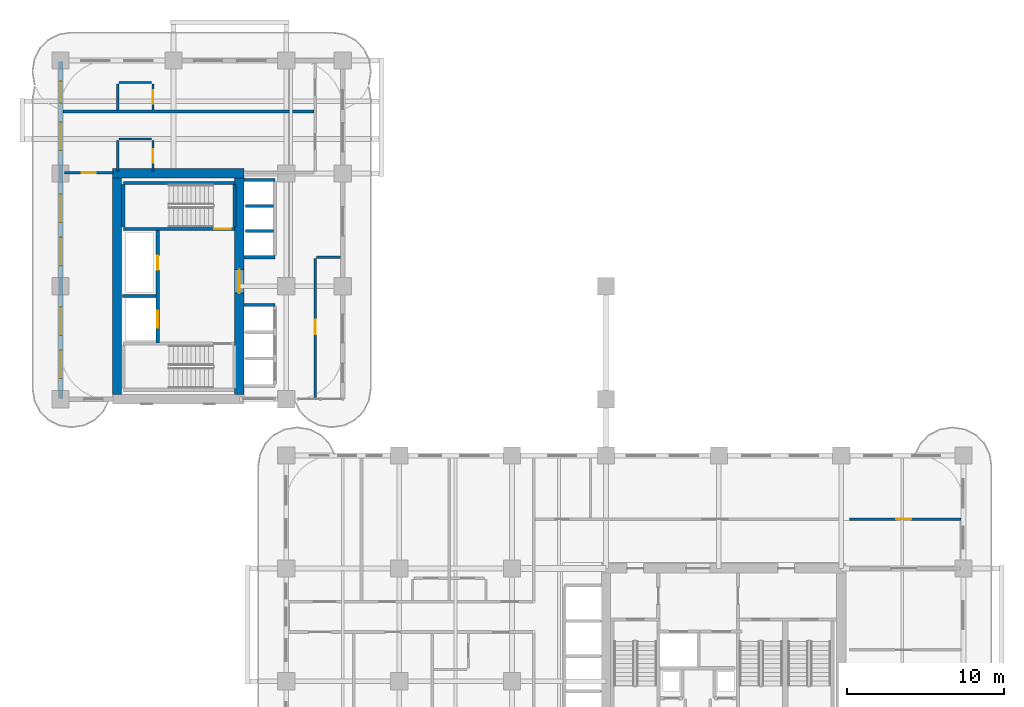
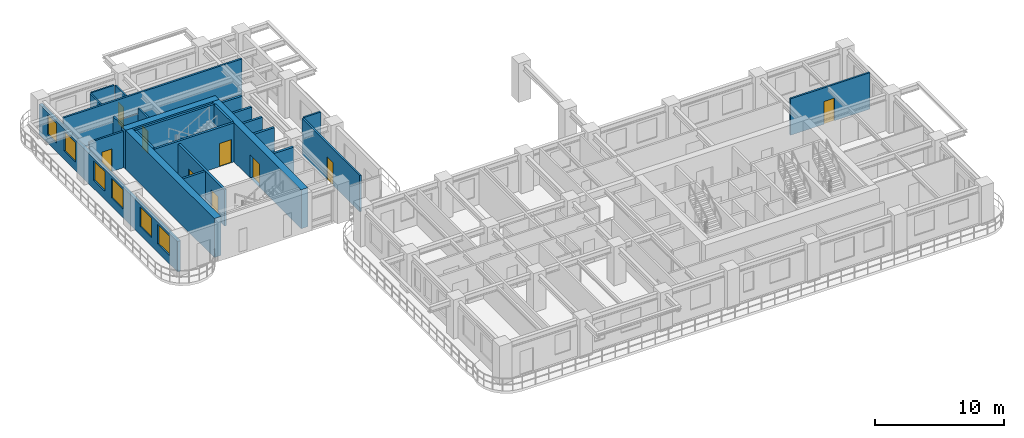
# One storey, part 10 of 18: 26 walls, 9 doors, 6 windows, 15 openings.
"""IFC4 building model written with IfcOpenShell, lengths in metres."""

import ifcopenshell
import ifcopenshell.guid

model = None  # the IFC model being written
_history = None  # IfcOwnerHistory: only IFC2X3 demands one
_inside = {}  # id of a spatial element -> (the spatial element, [elements in it])
_under = {}  # id of a project, library or spatial element -> (it, [spatial elements below it])
_declared = {}  # id of a project -> (the project, [libraries it declares])
_typed = {}  # id of a type object -> (the type object, [elements of that type])
_made_of = {}  # id of a material, layer set ... -> (it, [elements and type objects made of it])


def new_model(schema):
    """Start an empty IFC model of exactly this schema.

    Asked for "IFC4X3", IfcOpenShell would pick the latest addendum, in which some entities
    have other attributes; the version numbers below select the first issue.
    IFC2X3 requires an IfcOwnerHistory on every rooted entity: one is made here for all.
    """
    global model, _history
    if schema == "IFC4X3":
        model = ifcopenshell.file(schema_version=(4, 3, 0, 0))
    else:
        model = ifcopenshell.file(schema=schema)
    _inside.clear()
    _under.clear()
    _declared.clear()
    _typed.clear()
    _made_of.clear()
    _history = None
    if model.schema == "IFC2X3":
        org = make("IfcOrganization", Name="unknown")
        user = make(
            "IfcPersonAndOrganization",
            ThePerson=make("IfcPerson", FamilyName="unknown"),
            TheOrganization=org,
        )
        app = make(
            "IfcApplication",
            ApplicationDeveloper=org,
            Version="unknown",
            ApplicationFullName="unknown",
            ApplicationIdentifier="unknown",
        )
        _history = make(
            "IfcOwnerHistory",
            OwningUser=user,
            OwningApplication=app,
            ChangeAction="ADDED",
            CreationDate=0,
        )
    return model


def make(cls, **values):
    """One entity of the class cls with the attributes given. An attribute that is None is left unset."""
    return model.create_entity(
        cls, **{name: value for name, value in values.items() if value is not None}
    )


def rooted(cls, **values):
    """An entity with a GlobalId (a new one), such as an element, a storey or a relation."""
    return make(cls, GlobalId=ifcopenshell.guid.new(), OwnerHistory=_history, **values)


def si_unit(unit_type, name, prefix=None):
    """IfcSIUnit, for example si_unit("LENGTHUNIT", "METRE", prefix="MILLI")."""
    return make("IfcSIUnit", UnitType=unit_type, Prefix=prefix, Name=name)


def derived_unit(unit_type, elements):
    """IfcDerivedUnit: a product of units, each with its exponent."""
    return make(
        "IfcDerivedUnit",
        Elements=[
            make("IfcDerivedUnitElement", Unit=unit, Exponent=power)
            for unit, power in elements
        ],
        UnitType=unit_type,
    )


def assignment(units):
    """IfcUnitAssignment: the units of a project."""
    return None if units is None else make("IfcUnitAssignment", Units=units)


def point(xyz):
    """IfcCartesianPoint."""
    return None if xyz is None else make("IfcCartesianPoint", Coordinates=xyz)


def direction(xyz):
    """IfcDirection."""
    return None if xyz is None else make("IfcDirection", DirectionRatios=xyz)


def frame(location, z_axis=None, x_axis=None):
    """IfcAxis2Placement3D, a coordinate frame: its origin and axes. An axis left out is left unset."""
    return make(
        "IfcAxis2Placement3D",
        Location=point(location),
        Axis=direction(z_axis),
        RefDirection=direction(x_axis),
    )


def frame_2d(location, x_axis=None):
    """IfcAxis2Placement2D, a coordinate frame in the plane: its origin and x axis."""
    return make(
        "IfcAxis2Placement2D", Location=point(location), RefDirection=direction(x_axis)
    )


def origin():
    """The frame at (0, 0, 0) with its axes left unset."""
    return frame((0.0, 0.0, 0.0))


def place(relative_to, where):
    """IfcLocalPlacement: puts the frame where relative to a parent placement (None: the world)."""
    return make(
        "IfcLocalPlacement", PlacementRelTo=relative_to, RelativePlacement=where
    )


def context(
    kind, dimensions, precision=None, world=None, true_north=None, identifier=None
):
    """IfcGeometricRepresentationContext, for example the 3D "Model" context."""
    return make(
        "IfcGeometricRepresentationContext",
        ContextIdentifier=identifier,
        ContextType=kind,
        CoordinateSpaceDimension=dimensions,
        Precision=precision,
        WorldCoordinateSystem=world,
        TrueNorth=true_north,
    )


def subcontext(parent, identifier, kind, view, scale=None):
    """IfcGeometricRepresentationSubContext, for example "Body" below "Model"."""
    return make(
        "IfcGeometricRepresentationSubContext",
        ContextIdentifier=identifier,
        ContextType=kind,
        ParentContext=parent,
        TargetScale=scale,
        TargetView=view,
    )


def project(units=None, contexts=None):
    """IfcProject with its units and contexts."""
    return rooted(
        "IfcProject",
        Name="project",
        RepresentationContexts=contexts,
        UnitsInContext=assignment(units),
    )


def spatial(cls, under=None, at=None, **own):
    """A site, building, storey or space (cls), placed at a placement, below another one or the project."""
    s = rooted(cls, ObjectPlacement=at, **own)
    if under is not None:
        _under.setdefault(under.id(), (under, []))[1].append(s)
    return s


def profile(cls, at=None, kind="AREA", **sizes):
    """A parametric profile (cls). Its sizes go by their IFC names, for example OverallWidth=200.0."""
    return make(cls, ProfileType=kind, Position=at, **sizes)


def rectangle(**sizes):
    """IfcRectangleProfileDef."""
    return profile("IfcRectangleProfileDef", **sizes)


def extrude(swept, where, along, depth):
    """IfcExtrudedAreaSolid: the profile swept, set in the frame where, extruded along a direction by depth."""
    return make(
        "IfcExtrudedAreaSolid",
        SweptArea=swept,
        Position=where,
        ExtrudedDirection=direction(along),
        Depth=depth,
    )


def shape(context_of_items, identifier, shape_type, items):
    """IfcShapeRepresentation: the items that make up one representation, for example the "Body"."""
    return make(
        "IfcShapeRepresentation",
        ContextOfItems=context_of_items,
        RepresentationIdentifier=identifier,
        RepresentationType=shape_type,
        Items=items,
    )


def source(mapping_origin, context_of_items, identifier, shape_type, items):
    """IfcRepresentationMap: a shape defined once, which mapped items show again and again."""
    return make(
        "IfcRepresentationMap",
        MappingOrigin=mapping_origin,
        MappedRepresentation=shape(context_of_items, identifier, shape_type, items),
    )


def transform(
    local_origin,
    x_axis=None,
    y_axis=None,
    z_axis=None,
    scale=None,
    scale2=None,
    scale3=None,
    uniform=True,
):
    """IfcCartesianTransformationOperator3D, or its non-uniform kind. x_axis, y_axis, z_axis: its Axis1, 2, 3."""
    if uniform:
        return make(
            "IfcCartesianTransformationOperator3D",
            Axis1=direction(x_axis),
            Axis2=direction(y_axis),
            LocalOrigin=point(local_origin),
            Scale=scale,
            Axis3=direction(z_axis),
        )
    return make(
        "IfcCartesianTransformationOperator3DnonUniform",
        Axis1=direction(x_axis),
        Axis2=direction(y_axis),
        LocalOrigin=point(local_origin),
        Scale=scale,
        Axis3=direction(z_axis),
        Scale2=scale2,
        Scale3=scale3,
    )


def mapped(mapping_source, mapping_target):
    """IfcMappedItem: shows the shape of a source again, moved by a transform."""
    return make(
        "IfcMappedItem", MappingSource=mapping_source, MappingTarget=mapping_target
    )


def material(Name=None, Category=None):
    """IfcMaterial."""
    return make("IfcMaterial", Name=Name, Category=Category)


def layer(
    of_material, thickness, ventilated=None, Name=None, Category=None, Priority=None
):
    """IfcMaterialLayer: one layer of a wall or slab, of a material (None: an air gap)."""
    return make(
        "IfcMaterialLayer",
        Material=of_material,
        LayerThickness=thickness,
        IsVentilated=ventilated,
        Name=Name,
        Category=Category,
        Priority=Priority,
    )


def layer_set(layers, Name=None):
    """IfcMaterialLayerSet."""
    return make("IfcMaterialLayerSet", MaterialLayers=layers, LayerSetName=Name)


def made_of(thing, what):
    """Note that an element or type object is made of a material, layer set ...; save() writes the relation."""
    if what is not None:
        _made_of.setdefault(what.id(), (what, []))[1].append(thing)
    return thing


def type_object(cls, material=None, **own):
    """A type object (cls), such as IfcWallType, which elements share."""
    return made_of(rooted(cls, **own), material)


def type_shapes(of_type, sources):
    """Give a type object the sources (RepresentationMaps) that its elements show as mapped items."""
    of_type.RepresentationMaps = sources


def element(
    cls,
    number,
    at=None,
    inside=None,
    cuts=None,
    type_object=None,
    material=None,
    context=None,
    identifier="Body",
    shape_type=None,
    held_by="IfcProductDefinitionShape",
    body=None,
    shapes=None,
    **own,
):
    """One element of the class cls, such as IfcWall. Its Tag is "e" and its number.

    at: its placement. inside: the storey or other place that contains it. cuts: it is an
    opening in that element (IfcRelVoidsElement). A single representation is given by context,
    identifier, shape_type and body (its items); several are given by shapes. held_by: the class
    of the entity that holds the representations. save() writes the other relations.
    """
    e = rooted(cls, Tag="e%d" % number, ObjectPlacement=at, **own)
    if body is not None:
        shapes = [shape(context, identifier, shape_type, body)]
    if shapes is not None:
        e.Representation = make(held_by, Representations=shapes)
    if inside is not None:
        _inside.setdefault(inside.id(), (inside, []))[1].append(e)
    if cuts is not None:
        rooted(
            "IfcRelVoidsElement", RelatingBuildingElement=cuts, RelatedOpeningElement=e
        )
    if type_object is not None:
        _typed.setdefault(type_object.id(), (type_object, []))[1].append(e)
    return made_of(e, material)


def fill(opening, filler):
    """IfcRelFillsElement: the door or window that sits in an opening."""
    return rooted(
        "IfcRelFillsElement",
        RelatingOpeningElement=opening,
        RelatedBuildingElement=filler,
    )


def aggregate(whole, parts):
    """IfcRelAggregates: a whole, such as a stair, and the parts it consists of."""
    return rooted("IfcRelAggregates", RelatingObject=whole, RelatedObjects=parts)


def save(model, path):
    """Write the relations noted so far, then the file.

    IfcRelAggregates (storeys below a building ...), IfcRelContainedInSpatialStructure (elements
    in a storey), IfcRelDefinesByType, IfcRelAssociatesMaterial and IfcRelDeclares: one each for
    every whole, place, type object, material and project.
    """
    for whole, parts in _under.values():
        aggregate(whole, parts)
    for where, things in _inside.values():
        rooted(
            "IfcRelContainedInSpatialStructure",
            RelatedElements=things,
            RelatingStructure=where,
        )
    for kind, things in _typed.values():
        rooted("IfcRelDefinesByType", RelatedObjects=things, RelatingType=kind)
    for what, things in _made_of.values():
        rooted("IfcRelAssociatesMaterial", RelatedObjects=things, RelatingMaterial=what)
    for by, libraries in _declared.values():
        rooted("IfcRelDeclares", RelatingContext=by, RelatedDefinitions=libraries)
    model.write(path)


model = new_model("IFC4")

# Units and contexts
model_context = context("Model", 3, precision=1e-05, world=origin(), true_north=direction((0.0, 1.0)))
body_context = subcontext(model_context, "Body", "Model", "MODEL_VIEW")
ifc_project = project(units=[si_unit("LENGTHUNIT", "METRE"), si_unit("AREAUNIT", "SQUARE_METRE"), si_unit("VOLUMEUNIT", "CUBIC_METRE"), si_unit("PLANEANGLEUNIT", "RADIAN"), si_unit("MASSUNIT", "GRAM", prefix="KILO"), si_unit("THERMODYNAMICTEMPERATUREUNIT", "KELVIN"), si_unit("POWERUNIT", "WATT"), derived_unit("THERMALTRANSMITTANCEUNIT", [(si_unit("POWERUNIT", "WATT"), 1), (si_unit("AREAUNIT", "SQUARE_METRE"), -1), (si_unit("THERMODYNAMICTEMPERATUREUNIT", "KELVIN"), -1)])], contexts=[model_context])

# Site, building, storey
site_placement = place(None, origin())
site = spatial("IfcSite", under=ifc_project, at=site_placement, CompositionType="ELEMENT")
building_placement = place(site_placement, origin())
building = spatial("IfcBuilding", under=site, at=building_placement, Name="Zahravan Archway Hotel and Residences", CompositionType="ELEMENT")
storey_placement = place(building_placement, frame((0.0, 0.0, 50.89990234375)))
storey = spatial("IfcBuildingStorey", under=building, at=storey_placement, Name="L11", CompositionType="ELEMENT", Elevation=50.89990234375)

# Walls
ifc_material_1 = material(Name="Concrete C70/85", Category="concrete")
ifc_layer_1 = layer(ifc_material_1, 0.60009765625, Name="Concrete C70/85", Category="concrete")
ifc_layer_set_1 = layer_set([ifc_layer_1], Name="Concrete C70/85")
wall_type_1 = type_object("IfcWallType", Name="CW-CORE-600", PredefinedType="SHEAR", material=ifc_layer_set_1)
wall_1_placement = place(storey_placement, frame((3.300048828125, 39.60009765625, 0.0), z_axis=(0.0, 0.0, 1.0), x_axis=(1.0, 0.0, 0.0)))
element("IfcWall", 1, at=wall_1_placement, inside=storey, type_object=wall_type_1, Name="L11 Core B Shear N Wall 600 mm", PredefinedType="SHEAR", context=body_context, shape_type="SweptSolid", body=[
    extrude(rectangle(XDim=8.39990234375, YDim=0.60009765625, at=frame_2d((4.199951171875, 0.0))), origin(), (0.0, 0.0, 1.0), 3.7001953125),
])
wall_2_placement = place(storey_placement, frame((3.60009765625, 25.5, 0.0), z_axis=(0.0, 0.0, 1.0), x_axis=(0.0, 1.0, 0.0)))
element("IfcWall", 2, at=wall_2_placement, inside=storey, type_object=wall_type_1, Name="L11 Core B Shear W Wall 600 mm", PredefinedType="SHEAR", context=body_context, shape_type="SweptSolid", body=[
    extrude(rectangle(XDim=13.800048828125, YDim=0.60009765625, at=frame_2d((6.89990234375, 0.0))), origin(), (0.0, 0.0, 1.0), 3.7001953125),
])

# Wall, opening, door
wall_3_placement = place(storey_placement, frame((11.39990234375, 25.5, 0.0), z_axis=(0.0, 0.0, 1.0), x_axis=(0.0, 1.0, 0.0)))
wall_3 = element("IfcWall", 3, at=wall_3_placement, inside=storey, type_object=wall_type_1, Name="L11 Core B Shear E Wall 600 mm", PredefinedType="SHEAR", context=body_context, shape_type="SweptSolid", body=[
    extrude(rectangle(XDim=13.800048828125, YDim=0.60009765625, at=frame_2d((6.89990234375, 0.0))), origin(), (0.0, 0.0, 1.0), 3.7001953125),
])
opening_1_placement = place(wall_3_placement, frame((6.469970703125, 0.0, 0.0)))
opening_1 = element("IfcOpeningElement", 4, at=opening_1_placement, cuts=wall_3, Name="Opening FD-L1", PredefinedType="OPENING", context=body_context, shape_type="SweptSolid", body=[
    extrude(rectangle(XDim=1.5, YDim=2.199951171875, at=frame_2d((0.75, 1.10009765625))), frame((0.0, 0.31005859375, 0.0), z_axis=(0.0, -1.0, 0.0), x_axis=(1.0, 0.0, 0.0)), (0.0, 0.0, 1.0), 0.6201171875),
])
ifc_material_2 = material(Name="Fire-Rated Painted Steel", Category="steel")
door_type_1 = type_object("IfcDoorType", Name="FD-LOBBY-1500", OperationType="DOUBLE_DOOR_SINGLE_SWING", PredefinedType="DOOR", material=ifc_material_2)
shared_shape_1 = source(origin(), body_context, "Body", "SweptSolid", [
    extrude(rectangle(XDim=1.5, YDim=2.199951171875, at=frame_2d((0.75, 1.10009765625))), frame((0.0, 0.02490234375, 0.0), z_axis=(0.0, -1.0, 0.0), x_axis=(1.0, 0.0, 0.0)), (0.0, 0.0, 1.0), 0.050048828125),
])
type_shapes(door_type_1, [shared_shape_1])
door_1_placement = place(opening_1_placement, origin())
door_1 = element("IfcDoor", 5, at=door_1_placement, inside=storey, type_object=door_type_1, Name="L11 Core B FSAE Lobby Door", OperationType="DOUBLE_DOOR_SINGLE_SWING", OverallHeight=2.199951171875, OverallWidth=1.5, PredefinedType="DOOR", context=body_context, shape_type="MappedRepresentation", body=[
    mapped(shared_shape_1, transform((0.0, 0.0, 0.0), scale=1.0)),
])
fill(opening_1, door_1)

# Wall, openings, windows
ifc_material_3 = material(Name="Honed Red-Ochre Sandstone & Insulated Block", Category="masonry")
ifc_layer_2 = layer(ifc_material_3, 0.280029296875, Name="Honed Red-Ochre Sandstone & Insulated Block", Category="masonry")
ifc_layer_set_2 = layer_set([ifc_layer_2], Name="Honed Red-Ochre Sandstone & Insulated Block")
wall_type_2 = type_object("IfcWallType", Name="EW-LOG-280", PredefinedType="SOLIDWALL", material=ifc_layer_set_2)
wall_4_placement = place(storey_placement, frame((0.0, 25.25, 0.0), z_axis=(0.0, 0.0, 1.0), x_axis=(0.0, 1.0, 0.0)))
wall_4 = element("IfcWall", 6, at=wall_4_placement, inside=storey, type_object=wall_type_2, Name="L11 Exterior Sandstone Wall WB-W", PredefinedType="SOLIDWALL", context=body_context, shape_type="SweptSolid", body=[
    extrude(rectangle(XDim=21.5, YDim=0.280029296875, at=frame_2d((10.75, 0.0))), origin(), (0.0, 0.0, 1.0), 2.885009765625),
])
opening_2_placement = place(wall_4_placement, frame((1.27490234375, 0.0, 0.800048828125)))
opening_2 = element("IfcOpeningElement", 7, at=opening_2_placement, cuts=wall_4, Name="Opening W-02", PredefinedType="OPENING", context=body_context, shape_type="SweptSolid", body=[
    extrude(rectangle(XDim=1.800048828125, YDim=1.85009765625, at=frame_2d((0.89990234375, 0.925048828125))), frame((0.0, 0.14990234375, 0.0), z_axis=(0.0, -1.0, 0.0), x_axis=(1.0, 0.0, 0.0)), (0.0, 0.0, 1.0), 0.300048828125),
])
opening_3_placement = place(wall_4_placement, frame((4.02490234375, 0.0, 0.800048828125)))
opening_3 = element("IfcOpeningElement", 8, at=opening_3_placement, cuts=wall_4, Name="Opening W-02", PredefinedType="OPENING", context=body_context, shape_type="SweptSolid", body=[
    extrude(rectangle(XDim=1.800048828125, YDim=1.85009765625, at=frame_2d((0.89990234375, 0.925048828125))), frame((0.0, 0.14990234375, 0.0), z_axis=(0.0, -1.0, 0.0), x_axis=(1.0, 0.0, 0.0)), (0.0, 0.0, 1.0), 0.300048828125),
])
opening_4_placement = place(wall_4_placement, frame((8.47509765625, 0.0, 0.800048828125)))
opening_4 = element("IfcOpeningElement", 9, at=opening_4_placement, cuts=wall_4, Name="Opening W-02", PredefinedType="OPENING", context=body_context, shape_type="SweptSolid", body=[
    extrude(rectangle(XDim=1.800048828125, YDim=1.85009765625, at=frame_2d((0.89990234375, 0.925048828125))), frame((0.0, 0.14990234375, 0.0), z_axis=(0.0, -1.0, 0.0), x_axis=(1.0, 0.0, 0.0)), (0.0, 0.0, 1.0), 0.300048828125),
])
opening_5_placement = place(wall_4_placement, frame((11.22509765625, 0.0, 0.800048828125)))
opening_5 = element("IfcOpeningElement", 10, at=opening_5_placement, cuts=wall_4, Name="Opening W-02", PredefinedType="OPENING", context=body_context, shape_type="SweptSolid", body=[
    extrude(rectangle(XDim=1.800048828125, YDim=1.85009765625, at=frame_2d((0.89990234375, 0.925048828125))), frame((0.0, 0.14990234375, 0.0), z_axis=(0.0, -1.0, 0.0), x_axis=(1.0, 0.0, 0.0)), (0.0, 0.0, 1.0), 0.300048828125),
])
opening_6_placement = place(wall_4_placement, frame((15.821044921875, 0.0, 0.800048828125)))
opening_6 = element("IfcOpeningElement", 11, at=opening_6_placement, cuts=wall_4, Name="Opening W-02", PredefinedType="OPENING", context=body_context, shape_type="SweptSolid", body=[
    extrude(rectangle(XDim=1.800048828125, YDim=1.85009765625, at=frame_2d((0.89990234375, 0.925048828125))), frame((0.0, 0.14990234375, 0.0), z_axis=(0.0, -1.0, 0.0), x_axis=(1.0, 0.0, 0.0)), (0.0, 0.0, 1.0), 0.300048828125),
])
opening_7_placement = place(wall_4_placement, frame((18.8291015625, 0.0, 0.800048828125)))
opening_7 = element("IfcOpeningElement", 12, at=opening_7_placement, cuts=wall_4, Name="Opening W-03", PredefinedType="OPENING", context=body_context, shape_type="SweptSolid", body=[
    extrude(rectangle(XDim=1.39990234375, YDim=1.85009765625, at=frame_2d((0.699951171875, 0.925048828125))), frame((0.0, 0.14990234375, 0.0), z_axis=(0.0, -1.0, 0.0), x_axis=(1.0, 0.0, 0.0)), (0.0, 0.0, 1.0), 0.300048828125),
])
ifc_material_4 = material(Name="Bronze-Anodized Thermal-Break Aluminium & Low-E Glass", Category="aluminium")
window_type_1 = type_object("IfcWindowType", Name="WIN-TWR-1400", PartitioningType="SINGLE_PANEL", PredefinedType="WINDOW", material=ifc_material_4)
shared_shape_2 = source(origin(), body_context, "Body", "SweptSolid", [
    extrude(rectangle(XDim=1.39990234375, YDim=1.85009765625, at=frame_2d((0.699951171875, 0.925048828125))), frame((0.0, 0.030029296875, 0.0), z_axis=(0.0, -1.0, 0.0), x_axis=(1.0, 0.0, 0.0)), (0.0, 0.0, 1.0), 0.06005859375),
])
type_shapes(window_type_1, [shared_shape_2])
window_1_placement = place(opening_7_placement, origin())
window_1 = element("IfcWindow", 13, at=window_1_placement, inside=storey, type_object=window_type_1, Name="L11 Loggia Window 46", OverallHeight=1.85009765625, OverallWidth=1.39990234375, PartitioningType="SINGLE_PANEL", PredefinedType="WINDOW", context=body_context, shape_type="MappedRepresentation", body=[
    mapped(shared_shape_2, transform((0.0, 0.0, 0.0), scale=1.0)),
])
fill(opening_7, window_1)
window_type_2 = type_object("IfcWindowType", Name="WIN-TWR-1800", PartitioningType="DOUBLE_PANEL_VERTICAL", PredefinedType="WINDOW", material=ifc_material_4)
shared_shape_3 = source(origin(), body_context, "Body", "SweptSolid", [
    extrude(rectangle(XDim=1.800048828125, YDim=1.85009765625, at=frame_2d((0.89990234375, 0.925048828125))), frame((0.0, 0.030029296875, 0.0), z_axis=(0.0, -1.0, 0.0), x_axis=(1.0, 0.0, 0.0)), (0.0, 0.0, 1.0), 0.06005859375),
])
type_shapes(window_type_2, [shared_shape_3])
window_2_placement = place(opening_2_placement, origin())
window_2 = element("IfcWindow", 14, at=window_2_placement, inside=storey, type_object=window_type_2, Name="L11 Loggia Window 41", OverallHeight=1.85009765625, OverallWidth=1.800048828125, PartitioningType="DOUBLE_PANEL_VERTICAL", PredefinedType="WINDOW", context=body_context, shape_type="MappedRepresentation", body=[
    mapped(shared_shape_3, transform((0.0, 0.0, 0.0), scale=1.0)),
])
fill(opening_2, window_2)
window_3_placement = place(opening_3_placement, origin())
window_3 = element("IfcWindow", 15, at=window_3_placement, inside=storey, type_object=window_type_2, Name="L11 Loggia Window 42", OverallHeight=1.85009765625, OverallWidth=1.800048828125, PartitioningType="DOUBLE_PANEL_VERTICAL", PredefinedType="WINDOW", context=body_context, shape_type="MappedRepresentation", body=[
    mapped(shared_shape_3, transform((0.0, 0.0, 0.0), scale=1.0)),
])
fill(opening_3, window_3)
window_4_placement = place(opening_4_placement, origin())
window_4 = element("IfcWindow", 16, at=window_4_placement, inside=storey, type_object=window_type_2, Name="L11 Loggia Window 43", OverallHeight=1.85009765625, OverallWidth=1.800048828125, PartitioningType="DOUBLE_PANEL_VERTICAL", PredefinedType="WINDOW", context=body_context, shape_type="MappedRepresentation", body=[
    mapped(shared_shape_3, transform((0.0, 0.0, 0.0), scale=1.0)),
])
fill(opening_4, window_4)
window_5_placement = place(opening_5_placement, origin())
window_5 = element("IfcWindow", 17, at=window_5_placement, inside=storey, type_object=window_type_2, Name="L11 Loggia Window 44", OverallHeight=1.85009765625, OverallWidth=1.800048828125, PartitioningType="DOUBLE_PANEL_VERTICAL", PredefinedType="WINDOW", context=body_context, shape_type="MappedRepresentation", body=[
    mapped(shared_shape_3, transform((0.0, 0.0, 0.0), scale=1.0)),
])
fill(opening_5, window_5)
window_6_placement = place(opening_6_placement, origin())
window_6 = element("IfcWindow", 18, at=window_6_placement, inside=storey, type_object=window_type_2, Name="L11 Loggia Window 45", OverallHeight=1.85009765625, OverallWidth=1.800048828125, PartitioningType="DOUBLE_PANEL_VERTICAL", PredefinedType="WINDOW", context=body_context, shape_type="MappedRepresentation", body=[
    mapped(shared_shape_3, transform((0.0, 0.0, 0.0), scale=1.0)),
])
fill(opening_6, window_6)

# Wall, opening, door
ifc_material_5 = material(Name="Fire-Rated Gypsum & Concrete Block", Category="concrete")
ifc_layer_3 = layer(ifc_material_5, 0.159912109375, Name="Fire-Rated Gypsum & Concrete Block", Category="concrete")
ifc_layer_set_3 = layer_set([ifc_layer_3], Name="Fire-Rated Gypsum & Concrete Block")
wall_type_3 = type_object("IfcWallType", Name="PW-CORR-160", PredefinedType="PARTITIONING", material=ifc_layer_set_3)
wall_5_placement = place(storey_placement, frame((50.340087890625, 17.550048828125, 0.0), z_axis=(0.0, 0.0, 1.0), x_axis=(1.0, 0.0, 0.0)))
wall_5 = element("IfcWall", 19, at=wall_5_placement, inside=storey, type_object=wall_type_3, Name="L11 Partition EA-PN", PredefinedType="PARTITIONING", context=body_context, shape_type="SweptSolid", body=[
    extrude(rectangle(XDim=7.11181640625, YDim=0.159912109375, at=frame_2d((3.555908203125, 0.0))), origin(), (0.0, 0.0, 1.0), 3.4501953125),
])
opening_8_placement = place(wall_5_placement, frame((2.985107421875, 0.0, 0.0)))
opening_8 = element("IfcOpeningElement", 20, at=opening_8_placement, cuts=wall_5, Name="Opening D-I1", PredefinedType="OPENING", context=body_context, shape_type="SweptSolid", body=[
    extrude(rectangle(XDim=0.949951171875, YDim=2.14990234375, at=frame_2d((0.47509765625, 1.074951171875))), frame((0.0, 0.08984375, 0.0), z_axis=(0.0, -1.0, 0.0), x_axis=(1.0, 0.0, 0.0)), (0.0, 0.0, 1.0), 0.179931640625),
])
ifc_material_6 = material(Name="Hardwood Veneer Timber", Category="wood")
door_type_2 = type_object("IfcDoorType", Name="ID-INT-950", OperationType="NOTDEFINED", PredefinedType="DOOR", material=ifc_material_6)
shared_shape_4 = source(origin(), body_context, "Body", "SweptSolid", [
    extrude(rectangle(XDim=0.949951171875, YDim=2.14990234375, at=frame_2d((0.47509765625, 1.074951171875))), frame((0.0, 0.02490234375, 0.0), z_axis=(0.0, -1.0, 0.0), x_axis=(1.0, 0.0, 0.0)), (0.0, 0.0, 1.0), 0.050048828125),
])
type_shapes(door_type_2, [shared_shape_4])
door_2_placement = place(opening_8_placement, origin())
door_2 = element("IfcDoor", 21, at=door_2_placement, inside=storey, type_object=door_type_2, Name="L11 East Co-Working Office Door", OperationType="SINGLE_SWING_RIGHT", OverallHeight=2.14990234375, OverallWidth=0.949951171875, PredefinedType="DOOR", context=body_context, shape_type="MappedRepresentation", body=[
    mapped(shared_shape_4, transform((0.0, 0.0, 0.0), scale=1.0)),
])
fill(opening_8, door_2)

wall_6_placement = place(storey_placement, frame((16.25, 25.22802734375, 0.0), z_axis=(0.0, 0.0, 1.0), x_axis=(0.0, 1.0, 0.0)))
wall_6 = element("IfcWall", 22, at=wall_6_placement, inside=storey, type_object=wall_type_3, Name="L11 Partition WB-CE", PredefinedType="PARTITIONING", context=body_context, shape_type="SweptSolid", body=[
    extrude(rectangle(XDim=8.931884765625, YDim=0.159912109375, at=frame_2d((4.4658203125, 0.0))), origin(), (0.0, 0.0, 1.0), 3.4501953125),
])
opening_9_placement = place(wall_6_placement, frame((4.096923828125, 0.0, 0.0)))
opening_9 = element("IfcOpeningElement", 23, at=opening_9_placement, cuts=wall_6, Name="Opening D-I1", PredefinedType="OPENING", context=body_context, shape_type="SweptSolid", body=[
    extrude(rectangle(XDim=0.949951171875, YDim=2.14990234375, at=frame_2d((0.47509765625, 1.074951171875))), frame((0.0, 0.08984375, 0.0), z_axis=(0.0, -1.0, 0.0), x_axis=(1.0, 0.0, 0.0)), (0.0, 0.0, 1.0), 0.179931640625),
])
door_3_placement = place(opening_9_placement, origin())
door_3 = element("IfcDoor", 24, at=door_3_placement, inside=storey, type_object=door_type_2, Name="L11 Wing B Portal Study Door", OperationType="SINGLE_SWING_LEFT", OverallHeight=2.14990234375, OverallWidth=0.949951171875, PredefinedType="DOOR", context=body_context, shape_type="MappedRepresentation", body=[
    mapped(shared_shape_4, transform((0.0, 0.0, 0.0), scale=1.0)),
])
fill(opening_9, door_3)

# Wall
wall_7_placement = place(storey_placement, frame((16.340087890625, 34.25, 0.0), z_axis=(0.0, 0.0, 1.0), x_axis=(1.0, 0.0, 0.0)))
element("IfcWall", 25, at=wall_7_placement, inside=storey, type_object=wall_type_3, Name="L11 Partition WB-CS", PredefinedType="PARTITIONING", context=body_context, shape_type="SweptSolid", body=[
    extrude(rectangle(XDim=1.511962890625, YDim=0.159912109375, at=frame_2d((0.755859375, 0.0))), origin(), (0.0, 0.0, 1.0), 3.4501953125),
])

# Wall, openings, doors
ifc_layer_4 = layer(ifc_material_5, 0.199951171875, Name="Fire-Rated Gypsum & Concrete Block", Category="concrete")
ifc_layer_set_4 = layer_set([ifc_layer_4], Name="Fire-Rated Gypsum & Concrete Block")
wall_type_4 = type_object("IfcWallType", Name="PW-SHAFT-200", PredefinedType="PARTITIONING", material=ifc_layer_set_4)
wall_8_placement = place(storey_placement, frame((6.199951171875, 28.7900390625, 0.0), z_axis=(0.0, 0.0, 1.0), x_axis=(0.0, 1.0, 0.0)))
wall_8 = element("IfcWall", 26, at=wall_8_placement, inside=storey, type_object=wall_type_4, Name="L11 Partition CB-FL3E", PredefinedType="PARTITIONING", context=body_context, shape_type="SweptSolid", body=[
    extrude(rectangle(XDim=7.219970703125, YDim=0.199951171875, at=frame_2d((3.60986328125, 0.0))), origin(), (0.0, 0.0, 1.0), 3.4501953125),
])
opening_10_placement = place(wall_8_placement, frame((4.659912109375, 0.0, 0.0)))
opening_10 = element("IfcOpeningElement", 27, at=opening_10_placement, cuts=wall_8, Name="Opening FD-R1", PredefinedType="OPENING", context=body_context, shape_type="SweptSolid", body=[
    extrude(rectangle(XDim=0.89990234375, YDim=2.10009765625, at=frame_2d((0.449951171875, 1.050048828125))), frame((0.0, 0.10986328125, 0.0), z_axis=(0.0, -1.0, 0.0), x_axis=(1.0, 0.0, 0.0)), (0.0, 0.0, 1.0), 0.219970703125),
])
opening_11_placement = place(wall_8_placement, frame((0.9599609375, 0.0, 0.0)))
opening_11 = element("IfcOpeningElement", 28, at=opening_11_placement, cuts=wall_8, Name="Opening LD", PredefinedType="OPENING", context=body_context, shape_type="SweptSolid", body=[
    extrude(rectangle(XDim=1.10009765625, YDim=2.199951171875, at=frame_2d((0.550048828125, 1.10009765625))), frame((0.0, 0.10986328125, 0.0), z_axis=(0.0, -1.0, 0.0), x_axis=(1.0, 0.0, 0.0)), (0.0, 0.0, 1.0), 0.219970703125),
])
door_type_3 = type_object("IfcDoorType", Name="FD-RISER-900", OperationType="NOTDEFINED", PredefinedType="DOOR", material=ifc_material_2)
shared_shape_5 = source(origin(), body_context, "Body", "SweptSolid", [
    extrude(rectangle(XDim=0.89990234375, YDim=2.10009765625, at=frame_2d((0.449951171875, 1.050048828125))), frame((0.0, 0.02490234375, 0.0), z_axis=(0.0, -1.0, 0.0), x_axis=(1.0, 0.0, 0.0)), (0.0, 0.0, 1.0), 0.050048828125),
])
type_shapes(door_type_3, [shared_shape_5])
door_4_placement = place(opening_10_placement, origin())
door_4 = element("IfcDoor", 29, at=door_4_placement, inside=storey, type_object=door_type_3, Name="L11 Core B Riser Door", OperationType="SINGLE_SWING_LEFT", OverallHeight=2.10009765625, OverallWidth=0.89990234375, PredefinedType="DOOR", context=body_context, shape_type="MappedRepresentation", body=[
    mapped(shared_shape_5, transform((0.0, 0.0, 0.0), scale=1.0)),
])
fill(opening_10, door_4)
ifc_material_7 = material(Name="Brushed Stainless Steel", Category="steel")
door_type_4 = type_object("IfcDoorType", Name="DR-LIFT-LD", OperationType="SLIDING_TO_LEFT", PredefinedType="DOOR", material=ifc_material_7)
shared_shape_6 = source(origin(), body_context, "Body", "SweptSolid", [
    extrude(rectangle(XDim=1.10009765625, YDim=2.199951171875, at=frame_2d((0.550048828125, 1.10009765625))), frame((0.0, 0.02490234375, 0.0), z_axis=(0.0, -1.0, 0.0), x_axis=(1.0, 0.0, 0.0)), (0.0, 0.0, 1.0), 0.050048828125),
])
type_shapes(door_type_4, [shared_shape_6])
door_5_placement = place(opening_11_placement, origin())
door_5 = element("IfcDoor", 30, at=door_5_placement, inside=storey, type_object=door_type_4, Name="L11 Lift FL-3 Sliding Landing Door", OperationType="SLIDING_TO_LEFT", OverallHeight=2.199951171875, OverallWidth=1.10009765625, PredefinedType="DOOR", context=body_context, shape_type="MappedRepresentation", body=[
    mapped(shared_shape_6, transform((0.0, 0.0, 0.0), scale=1.0)),
])
fill(opening_11, door_5)

# Walls
wall_9_placement = place(storey_placement, frame((3.9599609375, 31.780029296875, 0.0), z_axis=(0.0, 0.0, 1.0), x_axis=(1.0, 0.0, 0.0)))
element("IfcWall", 31, at=wall_9_placement, inside=storey, type_object=wall_type_4, Name="L11 Partition CB-FL3N", PredefinedType="PARTITIONING", context=body_context, shape_type="SweptSolid", body=[
    extrude(rectangle(XDim=2.130126953125, YDim=0.199951171875, at=frame_2d((1.06494140625, 0.0))), origin(), (0.0, 0.0, 1.0), 3.4501953125),
])
for number, where, z_axis, x_axis, name in (
    (32, (11.7099609375, 31.2099609375, 0.0), (0.0, 0.0, 1.0), (1.0, 0.0, 0.0), "L11 Partition B1-N"),
    (33, (11.7099609375, 34.25, 0.0), (0.0, 0.0, 1.0), (1.0, 0.0, 0.0), "L11 Partition B2-S"),
    (34, (11.7099609375, 39.18994140625, 0.0), (0.0, 0.0, 1.0), (1.0, 0.0, 0.0), "L11 Partition B2-N"),
):
    element("IfcWall", number, at=place(storey_placement, frame(where, z_axis=z_axis, x_axis=x_axis)), inside=storey, type_object=wall_type_4, Name=name, PredefinedType="PARTITIONING", context=body_context, shape_type="SweptSolid", body=[
        extrude(rectangle(XDim=1.9599609375, YDim=0.199951171875, at=frame_2d((0.97998046875, 0.0))), origin(), (0.0, 0.0, 1.0), 3.4501953125),
    ])
for number, where, z_axis, x_axis, name in (
    (35, (11.81005859375, 35.919921875, 0.0), (0.0, 0.0, 1.0), (1.0, 0.0, 0.0), "L11 Partition B2-D"),
    (36, (11.81005859375, 37.52001953125, 0.0), (0.0, 0.0, 1.0), (1.0, 0.0, 0.0), "L11 Partition B2-D"),
):
    element("IfcWall", number, at=place(storey_placement, frame(where, z_axis=z_axis, x_axis=x_axis)), inside=storey, type_object=wall_type_4, Name=name, PredefinedType="PARTITIONING", context=body_context, shape_type="SweptSolid", body=[
        extrude(rectangle(XDim=1.760009765625, YDim=0.199951171875, at=frame_2d((0.8798828125, 0.0))), origin(), (0.0, 0.0, 1.0), 3.4501953125),
    ])

# Wall, opening, door
ifc_material_8 = material(Name="Acoustic Stud Partition")
ifc_layer_5 = layer(ifc_material_8, 0.169921875, Name="Acoustic Stud Partition")
ifc_layer_set_5 = layer_set([ifc_layer_5], Name="Acoustic Stud Partition")
wall_type_5 = type_object("IfcWallType", Name="PW-UNIT-170", PredefinedType="PARTITIONING", material=ifc_layer_set_5)
wall_10_placement = place(storey_placement, frame((0.239990234375, 39.64990234375, 0.0), z_axis=(0.0, 0.0, 1.0), x_axis=(1.0, 0.0, 0.0)))
wall_10 = element("IfcWall", 37, at=wall_10_placement, inside=storey, type_object=wall_type_5, Name="L11 Partition WB-NS", PredefinedType="PARTITIONING", context=body_context, shape_type="SweptSolid", body=[
    extrude(rectangle(XDim=3.1201171875, YDim=0.169921875, at=frame_2d((1.56005859375, 0.0))), origin(), (0.0, 0.0, 1.0), 3.4501953125),
])
opening_12_placement = place(wall_10_placement, frame((1.110107421875, 0.0, 0.0)))
opening_12 = element("IfcOpeningElement", 38, at=opening_12_placement, cuts=wall_10, Name="Opening D-I2", PredefinedType="OPENING", context=body_context, shape_type="SweptSolid", body=[
    extrude(rectangle(XDim=0.89990234375, YDim=2.14990234375, at=frame_2d((0.449951171875, 1.074951171875))), frame((0.0, 0.094970703125, 0.0), z_axis=(0.0, -1.0, 0.0), x_axis=(1.0, 0.0, 0.0)), (0.0, 0.0, 1.0), 0.18994140625),
])
door_type_5 = type_object("IfcDoorType", Name="ID-INT-900", OperationType="NOTDEFINED", PredefinedType="DOOR", material=ifc_material_6)
shared_shape_7 = source(origin(), body_context, "Body", "SweptSolid", [
    extrude(rectangle(XDim=0.89990234375, YDim=2.14990234375, at=frame_2d((0.449951171875, 1.074951171875))), frame((0.0, 0.02490234375, 0.0), z_axis=(0.0, -1.0, 0.0), x_axis=(1.0, 0.0, 0.0)), (0.0, 0.0, 1.0), 0.050048828125),
])
type_shapes(door_type_5, [shared_shape_7])
door_6_placement = place(opening_12_placement, origin())
door_6 = element("IfcDoor", 39, at=door_6_placement, inside=storey, type_object=door_type_5, Name="L11 Wing B West Loggia Salon Door", OperationType="SINGLE_SWING_RIGHT", OverallHeight=2.14990234375, OverallWidth=0.89990234375, PredefinedType="DOOR", context=body_context, shape_type="MappedRepresentation", body=[
    mapped(shared_shape_7, transform((0.0, 0.0, 0.0), scale=1.0)),
])
fill(opening_12, door_6)

# Walls
wall_11_placement = place(storey_placement, frame((0.14794921875, 43.550048828125, 0.0), z_axis=(0.0, 0.0, 1.0), x_axis=(1.0, 0.0, 0.0)))
element("IfcWall", 40, at=wall_11_placement, inside=storey, type_object=wall_type_5, Name="L11 Partition WB-NH", PredefinedType="PARTITIONING", context=body_context, shape_type="SweptSolid", body=[
    extrude(rectangle(XDim=16.011962890625, YDim=0.169921875, at=frame_2d((8.005859375, 0.0))), origin(), (0.0, 0.0, 1.0), 3.4501953125),
])
ifc_material_9 = material(Name="Moisture-Resistant Blockwork", Category="masonry")
ifc_layer_6 = layer(ifc_material_9, 0.139892578125, Name="Moisture-Resistant Blockwork", Category="masonry")
ifc_layer_set_6 = layer_set([ifc_layer_6], Name="Moisture-Resistant Blockwork")
wall_type_6 = type_object("IfcWallType", Name="PW-WET-140", PredefinedType="PARTITIONING", material=ifc_layer_set_6)
wall_12_placement = place(storey_placement, frame((3.64990234375, 39.739990234375, 0.0), z_axis=(0.0, 0.0, 1.0), x_axis=(0.0, 1.0, 0.0)))
element("IfcWall", 41, at=wall_12_placement, inside=storey, type_object=wall_type_6, Name="L11 Partition HKB-VL61", PredefinedType="PARTITIONING", context=body_context, shape_type="SweptSolid", body=[
    extrude(rectangle(XDim=1.965087890625, YDim=0.139892578125, at=frame_2d((0.982421875, 0.0))), origin(), (0.0, 0.0, 1.0), 3.4501953125),
])
wall_13_placement = place(storey_placement, frame((3.739990234375, 41.794921875, 0.0), z_axis=(0.0, 0.0, 1.0), x_axis=(1.0, 0.0, 0.0)))
element("IfcWall", 42, at=wall_13_placement, inside=storey, type_object=wall_type_6, Name="L11 Partition HKB-H61", PredefinedType="PARTITIONING", context=body_context, shape_type="SweptSolid", body=[
    extrude(rectangle(XDim=2.070068359375, YDim=0.139892578125, at=frame_2d((1.03515625, 0.0))), origin(), (0.0, 0.0, 1.0), 2.885009765625),
])

# Wall, opening, door
wall_14_placement = place(storey_placement, frame((5.89990234375, 39.739990234375, 0.0), z_axis=(0.0, 0.0, 1.0), x_axis=(0.0, 1.0, 0.0)))
wall_14 = element("IfcWall", 43, at=wall_14_placement, inside=storey, type_object=wall_type_6, Name="L11 Partition HKB-V61", PredefinedType="PARTITIONING", context=body_context, shape_type="SweptSolid", body=[
    extrude(rectangle(XDim=1.965087890625, YDim=0.139892578125, at=frame_2d((0.982421875, 0.0))), origin(), (0.0, 0.0, 1.0), 3.4501953125),
])
opening_13_placement = place(wall_14_placement, frame((0.5576171875, 0.0, 0.0)))
opening_13 = element("IfcOpeningElement", 44, at=opening_13_placement, cuts=wall_14, Name="Opening D-B1", PredefinedType="OPENING", context=body_context, shape_type="SweptSolid", body=[
    extrude(rectangle(XDim=0.85009765625, YDim=2.10009765625, at=frame_2d((0.425048828125, 1.050048828125))), frame((0.0, 0.080078125, 0.0), z_axis=(0.0, -1.0, 0.0), x_axis=(1.0, 0.0, 0.0)), (0.0, 0.0, 1.0), 0.159912109375),
])
door_type_6 = type_object("IfcDoorType", Name="ID-BATH-850", OperationType="NOTDEFINED", PredefinedType="DOOR", material=ifc_material_6)
shared_shape_8 = source(origin(), body_context, "Body", "SweptSolid", [
    extrude(rectangle(XDim=0.85009765625, YDim=2.10009765625, at=frame_2d((0.425048828125, 1.050048828125))), frame((0.0, 0.02490234375, 0.0), z_axis=(0.0, -1.0, 0.0), x_axis=(1.0, 0.0, 0.0)), (0.0, 0.0, 1.0), 0.050048828125),
])
type_shapes(door_type_6, [shared_shape_8])
door_7_placement = place(opening_13_placement, origin())
door_7 = element("IfcDoor", 45, at=door_7_placement, inside=storey, type_object=door_type_6, Name="L11 Guestroom 61 En-Suite Door", OperationType="SINGLE_SWING_LEFT", OverallHeight=2.10009765625, OverallWidth=0.85009765625, PredefinedType="DOOR", context=body_context, shape_type="MappedRepresentation", body=[
    mapped(shared_shape_8, transform((0.0, 0.0, 0.0), scale=1.0)),
])
fill(opening_13, door_7)

# Walls
wall_15_placement = place(storey_placement, frame((3.64990234375, 43.639892578125, 0.0), z_axis=(0.0, 0.0, 1.0), x_axis=(0.0, 1.0, 0.0)))
element("IfcWall", 46, at=wall_15_placement, inside=storey, type_object=wall_type_6, Name="L11 Partition HKB-VL62", PredefinedType="PARTITIONING", context=body_context, shape_type="SweptSolid", body=[
    extrude(rectangle(XDim=1.670166015625, YDim=0.139892578125, at=frame_2d((0.8349609375, 0.0))), origin(), (0.0, 0.0, 1.0), 3.4501953125),
])
wall_16_placement = place(storey_placement, frame((3.739990234375, 45.39990234375, 0.0), z_axis=(0.0, 0.0, 1.0), x_axis=(1.0, 0.0, 0.0)))
element("IfcWall", 47, at=wall_16_placement, inside=storey, type_object=wall_type_6, Name="L11 Partition HKB-H62", PredefinedType="PARTITIONING", context=body_context, shape_type="SweptSolid", body=[
    extrude(rectangle(XDim=2.070068359375, YDim=0.139892578125, at=frame_2d((1.03515625, 0.0))), origin(), (0.0, 0.0, 1.0), 3.4501953125),
])

# Wall, opening, door
wall_17_placement = place(storey_placement, frame((5.89990234375, 43.639892578125, 0.0), z_axis=(0.0, 0.0, 1.0), x_axis=(0.0, 1.0, 0.0)))
wall_17 = element("IfcWall", 48, at=wall_17_placement, inside=storey, type_object=wall_type_6, Name="L11 Partition HKB-V62", PredefinedType="PARTITIONING", context=body_context, shape_type="SweptSolid", body=[
    extrude(rectangle(XDim=1.670166015625, YDim=0.139892578125, at=frame_2d((0.8349609375, 0.0))), origin(), (0.0, 0.0, 1.0), 3.4501953125),
])
opening_14_placement = place(wall_17_placement, frame((0.409912109375, 0.0, 0.0)))
opening_14 = element("IfcOpeningElement", 49, at=opening_14_placement, cuts=wall_17, Name="Opening D-B1", PredefinedType="OPENING", context=body_context, shape_type="SweptSolid", body=[
    extrude(rectangle(XDim=0.85009765625, YDim=2.10009765625, at=frame_2d((0.425048828125, 1.050048828125))), frame((0.0, 0.080078125, 0.0), z_axis=(0.0, -1.0, 0.0), x_axis=(1.0, 0.0, 0.0)), (0.0, 0.0, 1.0), 0.159912109375),
])
door_8_placement = place(opening_14_placement, origin())
door_8 = element("IfcDoor", 50, at=door_8_placement, inside=storey, type_object=door_type_6, Name="L11 Guestroom 62 En-Suite Door", OperationType="SINGLE_SWING_LEFT", OverallHeight=2.10009765625, OverallWidth=0.85009765625, PredefinedType="DOOR", context=body_context, shape_type="MappedRepresentation", body=[
    mapped(shared_shape_8, transform((0.0, 0.0, 0.0), scale=1.0)),
])
fill(opening_14, door_8)

# Walls
ifc_material_10 = material(Name="Concrete C50/60", Category="concrete")
ifc_layer_7 = layer(ifc_material_10, 0.199951171875, Name="Concrete C50/60", Category="concrete")
ifc_layer_set_7 = layer_set([ifc_layer_7], Name="Concrete C50/60")
wall_type_7 = type_object("IfcWallType", Name="SW-STAIR-200", PredefinedType="SHEAR", material=ifc_layer_set_7)
wall_18_placement = place(storey_placement, frame((4.0, 39.0, 0.0), z_axis=(0.0, 0.0, 1.0), x_axis=(1.0, 0.0, 0.0)))
element("IfcWall", 51, at=wall_18_placement, inside=storey, type_object=wall_type_7, Name="L11 Stairwell RC Wall CB-SB2N", PredefinedType="SHEAR", context=body_context, shape_type="SweptSolid", body=[
    extrude(rectangle(XDim=7.10009765625, YDim=0.199951171875, at=frame_2d((3.550048828125, 0.0))), origin(), (0.0, 0.0, 1.0), 3.7001953125),
])
for number, where, z_axis, x_axis, name in (
    (52, (4.0, 36.179931640625, 0.0), (0.0, 0.0, 1.0), (0.0, 1.0, 0.0), "L11 Stairwell RC Wall CB-SB2W"),
    (53, (11.10009765625, 36.179931640625, 0.0), (0.0, 0.0, 1.0), (0.0, 1.0, 0.0), "L11 Stairwell RC Wall CB-SB2E"),
):
    element("IfcWall", number, at=place(storey_placement, frame(where, z_axis=z_axis, x_axis=x_axis)), inside=storey, type_object=wall_type_7, Name=name, PredefinedType="SHEAR", context=body_context, shape_type="SweptSolid", body=[
        extrude(rectangle(XDim=2.699951171875, YDim=0.199951171875, at=frame_2d((1.35009765625, 0.0))), origin(), (0.0, 0.0, 1.0), 3.7001953125),
    ])

# Wall, opening, door
wall_19_placement = place(storey_placement, frame((4.0, 36.06005859375, 0.0), z_axis=(0.0, 0.0, 1.0), x_axis=(1.0, 0.0, 0.0)))
wall_19 = element("IfcWall", 54, at=wall_19_placement, inside=storey, type_object=wall_type_7, Name="L11 Stairwell RC Wall CB-SB2S", PredefinedType="SHEAR", context=body_context, shape_type="SweptSolid", body=[
    extrude(rectangle(XDim=7.10009765625, YDim=0.199951171875, at=frame_2d((3.550048828125, 0.0))), origin(), (0.0, 0.0, 1.0), 3.7001953125),
])
opening_15_placement = place(wall_19_placement, frame((5.81494140625, 0.0, 0.0)))
opening_15 = element("IfcOpeningElement", 55, at=opening_15_placement, cuts=wall_19, Name="Opening FD-S1", PredefinedType="OPENING", context=body_context, shape_type="SweptSolid", body=[
    extrude(rectangle(XDim=1.050048828125, YDim=2.199951171875, at=frame_2d((0.52490234375, 1.10009765625))), frame((0.0, 0.10986328125, 0.0), z_axis=(0.0, -1.0, 0.0), x_axis=(1.0, 0.0, 0.0)), (0.0, 0.0, 1.0), 0.219970703125),
])
door_type_7 = type_object("IfcDoorType", Name="FD-STAIR-1100", OperationType="NOTDEFINED", PredefinedType="DOOR", material=ifc_material_2)
shared_shape_9 = source(origin(), body_context, "Body", "SweptSolid", [
    extrude(rectangle(XDim=1.050048828125, YDim=2.199951171875, at=frame_2d((0.52490234375, 1.10009765625))), frame((0.0, 0.02490234375, 0.0), z_axis=(0.0, -1.0, 0.0), x_axis=(1.0, 0.0, 0.0)), (0.0, 0.0, 1.0), 0.050048828125),
])
type_shapes(door_type_7, [shared_shape_9])
door_9_placement = place(opening_15_placement, origin())
door_9 = element("IfcDoor", 56, at=door_9_placement, inside=storey, type_object=door_type_7, Name="L11 Stair ST-B2 Door", OperationType="SINGLE_SWING_RIGHT", OverallHeight=2.199951171875, OverallWidth=1.050048828125, PredefinedType="DOOR", context=body_context, shape_type="MappedRepresentation", body=[
    mapped(shared_shape_9, transform((0.0, 0.0, 0.0), scale=1.0)),
])
fill(opening_15, door_9)

save(model, "model.ifc")
